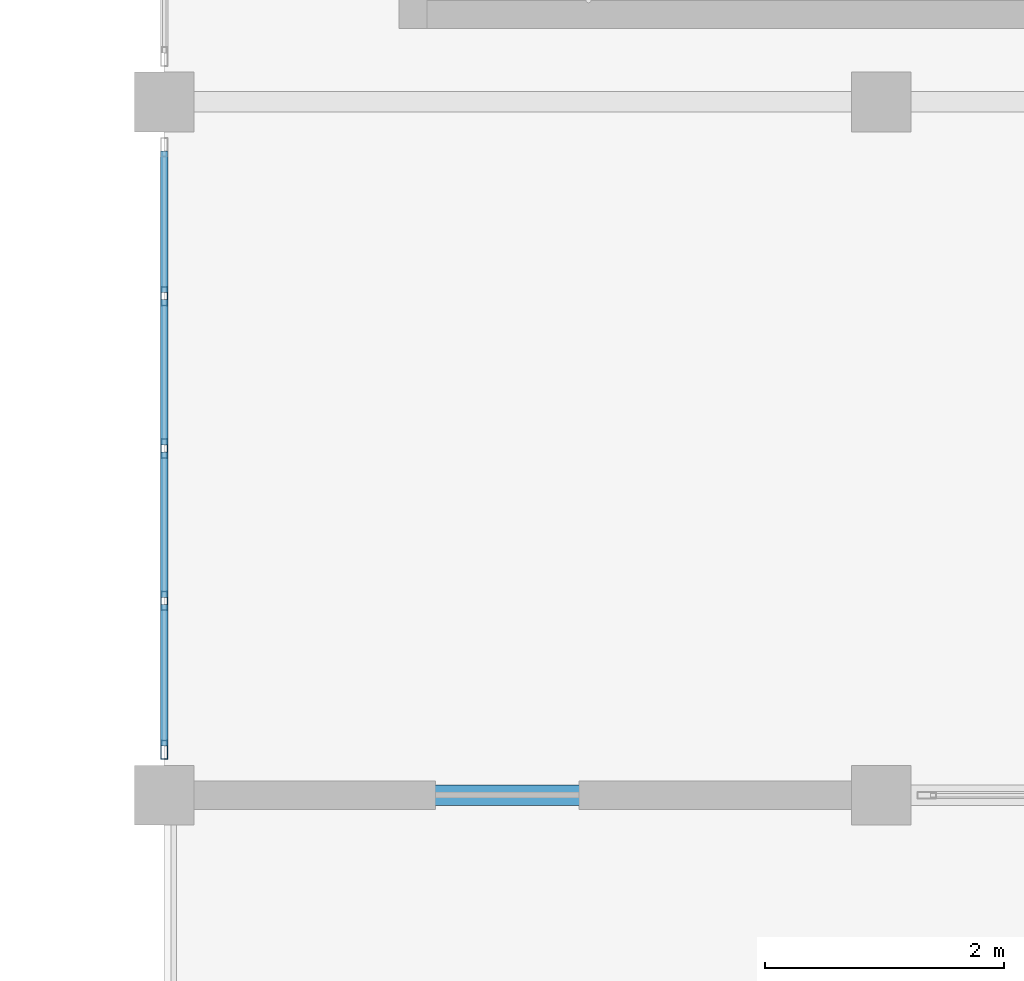
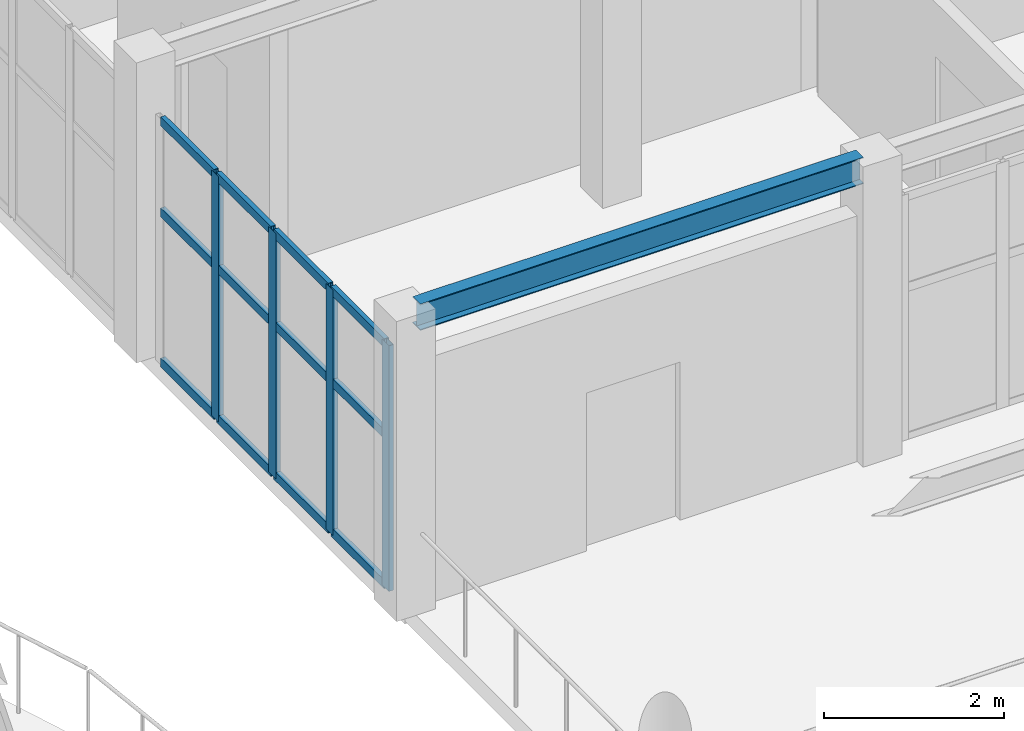
# One storey, part 10 of 128: 16 members, 1 beam, 1 element without a shape of its own.
"""IFC4 building model written with IfcOpenShell, lengths in metres."""

from ifc_helpers import new_model, si_unit, direction, frame, origin, origin_2d, place, context, subcontext, project, spatial, hollow_rectangle, i_section, extrude, material, material_profile, profile_set, type_object, element, aggregate, save


model = new_model("IFC4")

# Units and contexts
model_context = context("Model", 3, precision=1e-05, world=origin(), true_north=direction((0.0, 1.0)))
body_context = subcontext(model_context, "Body", "Model", "MODEL_VIEW")
ifc_project = project(units=[si_unit("LENGTHUNIT", "METRE"), si_unit("AREAUNIT", "SQUARE_METRE"), si_unit("VOLUMEUNIT", "CUBIC_METRE"), si_unit("PLANEANGLEUNIT", "RADIAN"), si_unit("MASSUNIT", "GRAM", prefix="KILO")], contexts=[model_context])

# Site, building, storey
site_placement = place(None, origin())
site = spatial("IfcSite", under=ifc_project, at=site_placement, CompositionType="ELEMENT")
building_placement = place(site_placement, origin())
building = spatial("IfcBuilding", under=site, at=building_placement, Name="Tanwirah Colonnade Gardens", CompositionType="ELEMENT")
storey_placement = place(building_placement, frame((0.0, 0.0, 4.760009765625)))
storey = spatial("IfcBuildingStorey", under=building, at=storey_placement, Name="L01", CompositionType="ELEMENT", Elevation=4.760009765625)

# Curtain wall, members
ifc_material_1 = material(Name="Bronze-anodised aluminium and solar-control low-E glass", Category="aluminium")
curtain_wall_type = type_object("IfcCurtainWallType", Name="CW-SHP", PredefinedType="NOTDEFINED", material=ifc_material_1)
curtain_wall_placement = place(storey_placement, origin())
curtain_wall = element("IfcCurtainWall", 1, at=curtain_wall_placement, inside=storey, type_object=curtain_wall_type, Name="Curtain Wall CW-SHP-W-L01-W-1", PredefinedType="NOTDEFINED")
ifc_material_2 = material(Name="Bronze-anodised aluminium", Category="aluminium")
ifc_material_profile_1 = material_profile(ifc_material_2, hollow_rectangle(XDim=0.06005859375, YDim=0.159912109375, WallThickness=0.00390625, at=origin_2d()), Name="CW-MUL 60x160x4")
ifc_profile_set_1 = profile_set([ifc_material_profile_1], Name="Bronze-anodised aluminium")
member_type_1 = type_object("IfcMemberType", Name="CWM-60x160", PredefinedType="MULLION", material=ifc_profile_set_1)
member_1_placement = place(storey_placement, frame((66.0, 16.97998046875, 0.0), z_axis=(0.0, 0.0, 1.0), x_axis=(-1.0, 0.0, 0.0)))
member_1 = element("IfcMember", 2, at=member_1_placement, type_object=member_type_1, Name="CW-SHP mullion 1", PredefinedType="MULLION", context=body_context, shape_type="SweptSolid", body=[
    extrude(hollow_rectangle(XDim=0.06005859375, YDim=0.159912109375, WallThickness=0.00390625, at=origin_2d()), origin(), (0.0, 0.0, 1.0), 3.340087890625),
])
member_2_placement = place(storey_placement, frame((66.0, 18.22509765625, 0.0), z_axis=(0.0, 0.0, 1.0), x_axis=(-1.0, 0.0, 0.0)))
member_2 = element("IfcMember", 3, at=member_2_placement, type_object=member_type_1, Name="CW-SHP mullion 2", PredefinedType="MULLION", context=body_context, shape_type="SweptSolid", body=[
    extrude(hollow_rectangle(XDim=0.06005859375, YDim=0.159912109375, WallThickness=0.00390625, at=origin_2d()), origin(), (0.0, 0.0, 1.0), 3.340087890625),
])
member_3_placement = place(storey_placement, frame((66.0, 19.5, 0.0), z_axis=(0.0, 0.0, 1.0), x_axis=(-1.0, 0.0, 0.0)))
member_3 = element("IfcMember", 4, at=member_3_placement, type_object=member_type_1, Name="CW-SHP mullion 3", PredefinedType="MULLION", context=body_context, shape_type="SweptSolid", body=[
    extrude(hollow_rectangle(XDim=0.06005859375, YDim=0.159912109375, WallThickness=0.00390625, at=origin_2d()), origin(), (0.0, 0.0, 1.0), 3.340087890625),
])
member_4_placement = place(storey_placement, frame((66.0, 20.77490234375, 0.0), z_axis=(0.0, 0.0, 1.0), x_axis=(-1.0, 0.0, 0.0)))
member_4 = element("IfcMember", 5, at=member_4_placement, type_object=member_type_1, Name="CW-SHP mullion 4", PredefinedType="MULLION", context=body_context, shape_type="SweptSolid", body=[
    extrude(hollow_rectangle(XDim=0.06005859375, YDim=0.159912109375, WallThickness=0.00390625, at=origin_2d()), origin(), (0.0, 0.0, 1.0), 3.340087890625),
])
ifc_material_profile_2 = material_profile(ifc_material_2, hollow_rectangle(XDim=0.06005859375, YDim=0.1201171875, WallThickness=0.00390625, at=origin_2d()), Name="CW-TRN 60x120x4")
ifc_profile_set_2 = profile_set([ifc_material_profile_2], Name="Bronze-anodised aluminium")
member_type_2 = type_object("IfcMemberType", Name="CWT-60x120", PredefinedType="USERDEFINED", material=ifc_profile_set_2)
member_5_placement = place(storey_placement, frame((66.0, 17.010009765625, 0.030029296875), z_axis=(0.0, 1.0, 0.0), x_axis=(-1.0, 0.0, 0.0)))
member_5 = element("IfcMember", 6, at=member_5_placement, type_object=member_type_2, Name="CW-SHP transom 1.1", ObjectType="TRANSOM", PredefinedType="USERDEFINED", context=body_context, shape_type="SweptSolid", body=[
    extrude(hollow_rectangle(XDim=0.06005859375, YDim=0.1201171875, WallThickness=0.00390625, at=origin_2d()), origin(), (0.0, 0.0, 1.0), 1.18505859375),
])
member_6_placement = place(storey_placement, frame((66.0, 17.010009765625, 2.07080078125), z_axis=(0.0, 1.0, 0.0), x_axis=(-1.0, 0.0, 0.0)))
member_6 = element("IfcMember", 7, at=member_6_placement, type_object=member_type_2, Name="CW-SHP transom 1.2", ObjectType="TRANSOM", PredefinedType="USERDEFINED", context=body_context, shape_type="SweptSolid", body=[
    extrude(hollow_rectangle(XDim=0.06005859375, YDim=0.1201171875, WallThickness=0.00390625, at=origin_2d()), origin(), (0.0, 0.0, 1.0), 1.18505859375),
])
member_7_placement = place(storey_placement, frame((66.0, 17.010009765625, 3.31005859375), z_axis=(0.0, 1.0, 0.0), x_axis=(-1.0, 0.0, 0.0)))
member_7 = element("IfcMember", 8, at=member_7_placement, type_object=member_type_2, Name="CW-SHP transom 1.3", ObjectType="TRANSOM", PredefinedType="USERDEFINED", context=body_context, shape_type="SweptSolid", body=[
    extrude(hollow_rectangle(XDim=0.06005859375, YDim=0.1201171875, WallThickness=0.00390625, at=origin_2d()), origin(), (0.0, 0.0, 1.0), 1.18505859375),
])
member_8_placement = place(storey_placement, frame((66.0, 18.2548828125, 0.030029296875), z_axis=(0.0, 1.0, 0.0), x_axis=(-1.0, 0.0, 0.0)))
member_8 = element("IfcMember", 9, at=member_8_placement, type_object=member_type_2, Name="CW-SHP transom 2.1", ObjectType="TRANSOM", PredefinedType="USERDEFINED", context=body_context, shape_type="SweptSolid", body=[
    extrude(hollow_rectangle(XDim=0.06005859375, YDim=0.1201171875, WallThickness=0.00390625, at=origin_2d()), origin(), (0.0, 0.0, 1.0), 1.215087890625),
])
member_9_placement = place(storey_placement, frame((66.0, 18.2548828125, 2.07080078125), z_axis=(0.0, 1.0, 0.0), x_axis=(-1.0, 0.0, 0.0)))
member_9 = element("IfcMember", 10, at=member_9_placement, type_object=member_type_2, Name="CW-SHP transom 2.2", ObjectType="TRANSOM", PredefinedType="USERDEFINED", context=body_context, shape_type="SweptSolid", body=[
    extrude(hollow_rectangle(XDim=0.06005859375, YDim=0.1201171875, WallThickness=0.00390625, at=origin_2d()), origin(), (0.0, 0.0, 1.0), 1.215087890625),
])
member_10_placement = place(storey_placement, frame((66.0, 18.2548828125, 3.31005859375), z_axis=(0.0, 1.0, 0.0), x_axis=(-1.0, 0.0, 0.0)))
member_10 = element("IfcMember", 11, at=member_10_placement, type_object=member_type_2, Name="CW-SHP transom 2.3", ObjectType="TRANSOM", PredefinedType="USERDEFINED", context=body_context, shape_type="SweptSolid", body=[
    extrude(hollow_rectangle(XDim=0.06005859375, YDim=0.1201171875, WallThickness=0.00390625, at=origin_2d()), origin(), (0.0, 0.0, 1.0), 1.215087890625),
])
member_11_placement = place(storey_placement, frame((66.0, 19.530029296875, 0.030029296875), z_axis=(0.0, 1.0, 0.0), x_axis=(-1.0, 0.0, 0.0)))
member_11 = element("IfcMember", 12, at=member_11_placement, type_object=member_type_2, Name="CW-SHP transom 3.1", ObjectType="TRANSOM", PredefinedType="USERDEFINED", context=body_context, shape_type="SweptSolid", body=[
    extrude(hollow_rectangle(XDim=0.06005859375, YDim=0.1201171875, WallThickness=0.00390625, at=origin_2d()), origin(), (0.0, 0.0, 1.0), 1.215087890625),
])
member_12_placement = place(storey_placement, frame((66.0, 19.530029296875, 2.07080078125), z_axis=(0.0, 1.0, 0.0), x_axis=(-1.0, 0.0, 0.0)))
member_12 = element("IfcMember", 13, at=member_12_placement, type_object=member_type_2, Name="CW-SHP transom 3.2", ObjectType="TRANSOM", PredefinedType="USERDEFINED", context=body_context, shape_type="SweptSolid", body=[
    extrude(hollow_rectangle(XDim=0.06005859375, YDim=0.1201171875, WallThickness=0.00390625, at=origin_2d()), origin(), (0.0, 0.0, 1.0), 1.215087890625),
])
member_13_placement = place(storey_placement, frame((66.0, 19.530029296875, 3.31005859375), z_axis=(0.0, 1.0, 0.0), x_axis=(-1.0, 0.0, 0.0)))
member_13 = element("IfcMember", 14, at=member_13_placement, type_object=member_type_2, Name="CW-SHP transom 3.3", ObjectType="TRANSOM", PredefinedType="USERDEFINED", context=body_context, shape_type="SweptSolid", body=[
    extrude(hollow_rectangle(XDim=0.06005859375, YDim=0.1201171875, WallThickness=0.00390625, at=origin_2d()), origin(), (0.0, 0.0, 1.0), 1.215087890625),
])
member_14_placement = place(storey_placement, frame((66.0, 20.804931640625, 0.030029296875), z_axis=(0.0, 1.0, 0.0), x_axis=(-1.0, 0.0, 0.0)))
member_14 = element("IfcMember", 15, at=member_14_placement, type_object=member_type_2, Name="CW-SHP transom 4.1", ObjectType="TRANSOM", PredefinedType="USERDEFINED", context=body_context, shape_type="SweptSolid", body=[
    extrude(hollow_rectangle(XDim=0.06005859375, YDim=0.1201171875, WallThickness=0.00390625, at=origin_2d()), origin(), (0.0, 0.0, 1.0), 1.18505859375),
])
member_15_placement = place(storey_placement, frame((66.0, 20.804931640625, 2.07080078125), z_axis=(0.0, 1.0, 0.0), x_axis=(-1.0, 0.0, 0.0)))
member_15 = element("IfcMember", 16, at=member_15_placement, type_object=member_type_2, Name="CW-SHP transom 4.2", ObjectType="TRANSOM", PredefinedType="USERDEFINED", context=body_context, shape_type="SweptSolid", body=[
    extrude(hollow_rectangle(XDim=0.06005859375, YDim=0.1201171875, WallThickness=0.00390625, at=origin_2d()), origin(), (0.0, 0.0, 1.0), 1.18505859375),
])
member_16_placement = place(storey_placement, frame((66.0, 20.804931640625, 3.31005859375), z_axis=(0.0, 1.0, 0.0), x_axis=(-1.0, 0.0, 0.0)))
member_16 = element("IfcMember", 17, at=member_16_placement, type_object=member_type_2, Name="CW-SHP transom 4.3", ObjectType="TRANSOM", PredefinedType="USERDEFINED", context=body_context, shape_type="SweptSolid", body=[
    extrude(hollow_rectangle(XDim=0.06005859375, YDim=0.1201171875, WallThickness=0.00390625, at=origin_2d()), origin(), (0.0, 0.0, 1.0), 1.18505859375),
])
aggregate(curtain_wall, [member_1, member_2, member_3, member_4, member_5, member_6, member_7, member_8, member_9, member_10, member_11, member_12, member_13, member_14, member_15, member_16])

# Beam
ifc_material_3 = material(Name="Steel S355", Category="steel")
ifc_material_profile_3 = material_profile(ifc_material_3, i_section(OverallWidth=0.169921875, OverallDepth=0.360107421875, WebThickness=0.008056640625, FlangeThickness=0.0126953125, at=origin_2d()), Name="IPE 360")
ifc_profile_set_3 = profile_set([ifc_material_profile_3], Name="Steel S355")
beam_type = type_object("IfcBeamType", Name="SBM-IPE360", PredefinedType="BEAM", material=ifc_profile_set_3)
beam_placement = place(storey_placement, frame((66.14990234375, 16.60009765625, 3.89990234375), z_axis=(1.0, 0.0, 0.0), x_axis=(0.0, 1.0, 0.0)))
element("IfcBeam", 18, at=beam_placement, inside=storey, type_object=beam_type, Name="Boulevard Shops W L01 Beam 0.1", PredefinedType="BEAM", context=body_context, shape_type="SweptSolid", body=[
    extrude(i_section(OverallWidth=0.169921875, OverallDepth=0.360107421875, WebThickness=0.008056640625, FlangeThickness=0.0126953125, at=origin_2d()), origin(), (0.0, 0.0, 1.0), 5.7001953125),
])

save(model, "model.ifc")
